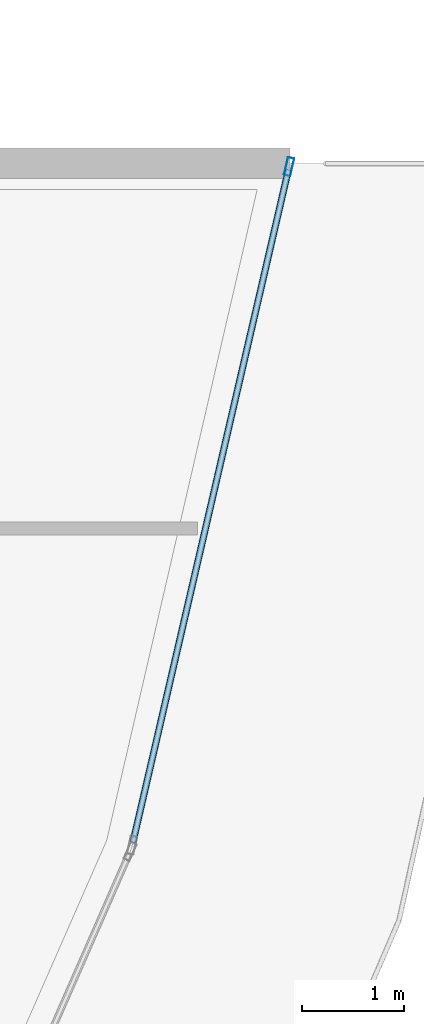
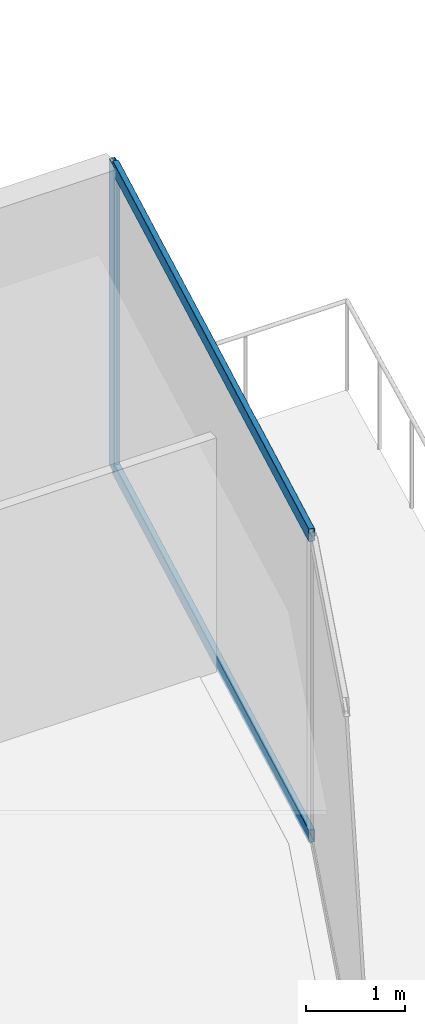
# One storey, part 24 of 42: 3 members, 1 element without a shape of its own.
"""IFC4 building model written with IfcOpenShell, lengths in metres."""

from ifc_helpers import new_model, si_unit, direction, frame, origin, origin_2d, place, context, subcontext, project, spatial, hollow_rectangle, extrude, material, layer, layer_set, material_profile, profile_set, type_object, element, aggregate, save


model = new_model("IFC4")

# Units and contexts
model_context = context("Model", 3, precision=1e-05, world=origin(), true_north=direction((0.0, 1.0)))
body_context = subcontext(model_context, "Body", "Model", "MODEL_VIEW")
ifc_project = project(units=[si_unit("LENGTHUNIT", "METRE"), si_unit("AREAUNIT", "SQUARE_METRE"), si_unit("VOLUMEUNIT", "CUBIC_METRE"), si_unit("PLANEANGLEUNIT", "RADIAN"), si_unit("MASSUNIT", "GRAM", prefix="KILO")], contexts=[model_context])

# Site, building, storey
site_placement = place(None, origin())
site = spatial("IfcSite", under=ifc_project, at=site_placement, CompositionType="ELEMENT")
building_placement = place(site_placement, origin())
building = spatial("IfcBuilding", under=site, at=building_placement, Name="Qorvath Tower", CompositionType="ELEMENT")
storey_placement = place(building_placement, frame((0.0, 0.0, 121.949951171875)))
storey = spatial("IfcBuildingStorey", under=building, at=storey_placement, Name="L27", CompositionType="ELEMENT", Elevation=121.949951171875)

# Curtain wall, members
ifc_material_1 = material(Name="Anodised aluminium and triple low-E glass", Category="aluminium")
ifc_layer = layer(ifc_material_1, 0.179931640625)
ifc_layer_set = layer_set([ifc_layer], Name="CW-SYS-2")
curtain_wall_type = type_object("IfcCurtainWallType", Name="CW-SYS-2", PredefinedType="NOTDEFINED", material=ifc_layer_set)
curtain_wall_placement = place(storey_placement, origin())
curtain_wall = element("IfcCurtainWall", 1, at=curtain_wall_placement, inside=storey, type_object=curtain_wall_type, Name="Curtain Wall CW-2 CW-T-L27-7.1", PredefinedType="NOTDEFINED")
ifc_material_2 = material(Name="Anodised aluminium 6063-T6", Category="aluminium")
ifc_material_profile_1 = material_profile(ifc_material_2, hollow_rectangle(XDim=0.06494140625, YDim=0.179931640625, WallThickness=0.00341796875, InnerFilletRadius=0.00341796875, OuterFilletRadius=0.007080078125, at=origin_2d()), Name="CWM 180x65")
ifc_profile_set_1 = profile_set([ifc_material_profile_1], Name="Anodised aluminium 6063-T6")
member_type_1 = type_object("IfcMemberType", Name="CWM-180", PredefinedType="MULLION", material=ifc_profile_set_1)
member_1_placement = place(storey_placement, frame((4.691650390625, -4.999755859375, 0.0), z_axis=(0.0, 0.0, 1.0), x_axis=(-0.974296356855, 0.225270080166, 0.0)))
member_1 = element("IfcMember", 2, at=member_1_placement, type_object=member_type_1, Name="CW-2 mullion 2", PredefinedType="MULLION", context=body_context, shape_type="SweptSolid", body=[
    extrude(hollow_rectangle(XDim=0.06494140625, YDim=0.179931640625, WallThickness=0.00341796875, InnerFilletRadius=0.00341796875, OuterFilletRadius=0.007080078125, at=origin_2d()), origin(), (0.0, 0.0, 1.0), 3.77001953125),
])
ifc_material_3 = material(Name="Anodised aluminium 6063-T6", Category="aluminium")
ifc_material_profile_2 = material_profile(ifc_material_3, hollow_rectangle(XDim=0.06494140625, YDim=0.159912109375, WallThickness=0.00341796875, InnerFilletRadius=0.00341796875, OuterFilletRadius=0.007080078125, at=origin_2d()), Name="CWT 160x65")
ifc_profile_set_2 = profile_set([ifc_material_profile_2], Name="Anodised aluminium 6063-T6")
member_type_2 = type_object("IfcMemberType", Name="CWT-160", PredefinedType="USERDEFINED", material=ifc_profile_set_2)
member_2_placement = place(storey_placement, frame((3.158935546875, -11.628662109375, 0.032470703125), z_axis=(0.22526763041, 0.974296923268, 0.0), x_axis=(-0.974296923268, 0.22526763041, 0.0)))
member_2 = element("IfcMember", 3, at=member_2_placement, type_object=member_type_2, Name="CW-2 transom 1.1", ObjectType="TRANSOM", PredefinedType="USERDEFINED", context=body_context, shape_type="SweptSolid", body=[
    extrude(hollow_rectangle(XDim=0.06494140625, YDim=0.159912109375, WallThickness=0.00341796875, InnerFilletRadius=0.00341796875, OuterFilletRadius=0.007080078125, at=origin_2d()), origin(), (0.0, 0.0, 1.0), 6.771484375),
])
member_3_placement = place(storey_placement, frame((3.158935546875, -11.628662109375, 3.737548828125), z_axis=(0.22526763041, 0.974296923268, 0.0), x_axis=(-0.974296923268, 0.22526763041, 0.0)))
member_3 = element("IfcMember", 4, at=member_3_placement, type_object=member_type_2, Name="CW-2 transom 1.2", ObjectType="TRANSOM", PredefinedType="USERDEFINED", context=body_context, shape_type="SweptSolid", body=[
    extrude(hollow_rectangle(XDim=0.06494140625, YDim=0.159912109375, WallThickness=0.00341796875, InnerFilletRadius=0.00341796875, OuterFilletRadius=0.007080078125, at=origin_2d()), origin(), (0.0, 0.0, 1.0), 6.771484375),
])
aggregate(curtain_wall, [member_1, member_2, member_3])

save(model, "model.ifc")
